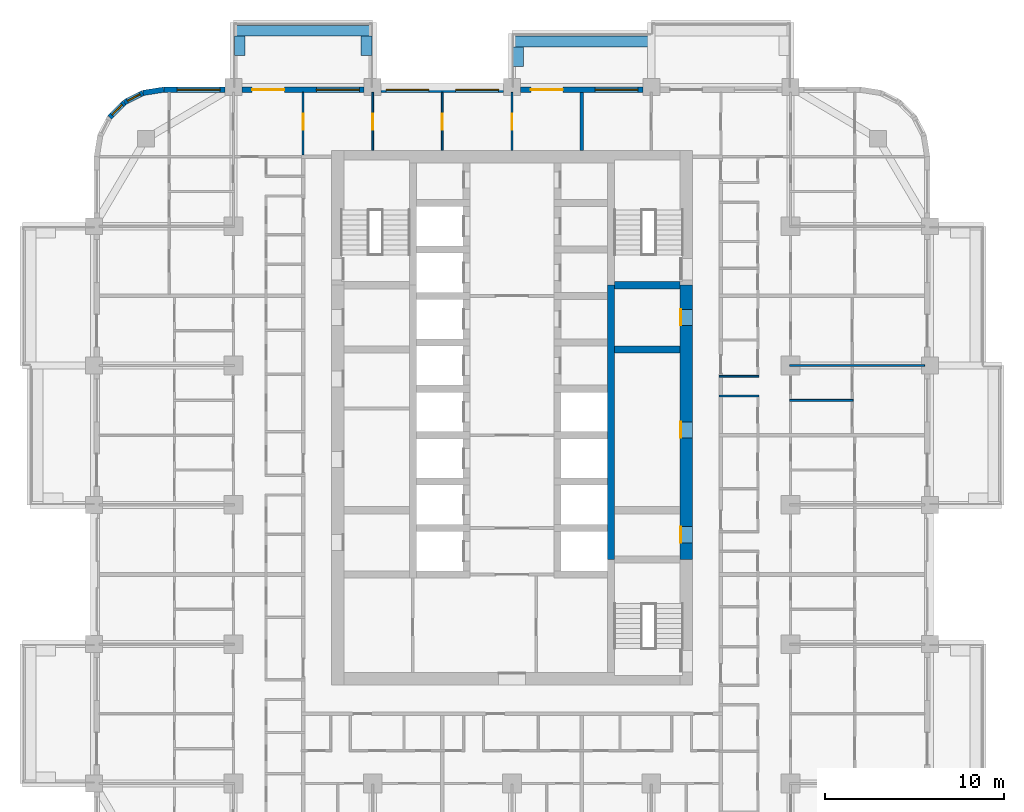
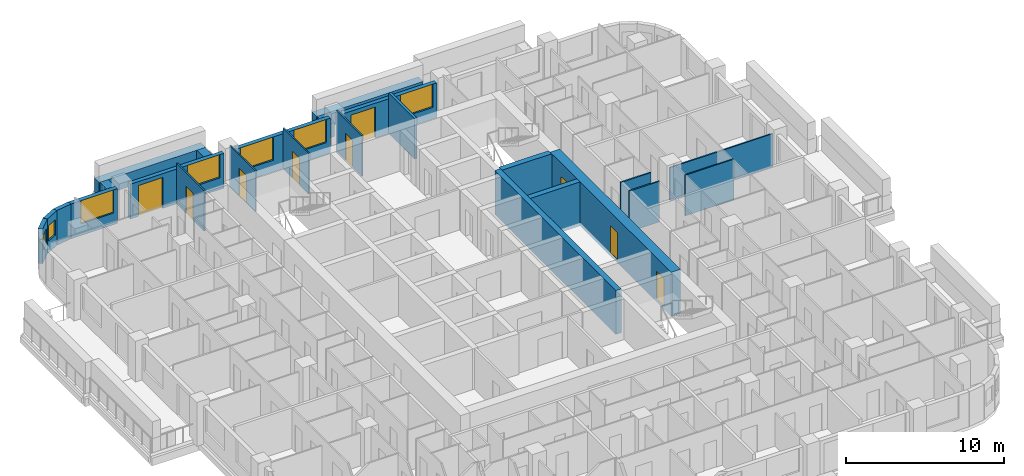
# One storey, part 12 of 18: 25 walls, 9 doors, 7 windows, 16 openings.
"""IFC4 building model written with IfcOpenShell, lengths in metres."""

from ifc_helpers import new_model, si_unit, direction, frame, frame_2d, origin, place, context, subcontext, project, spatial, rectangle, extrude, material, layer, layer_set, type_object, element, fill, save


model = new_model("IFC4")

# Units and contexts
model_context = context("Model", 3, precision=1e-05, world=origin(), true_north=direction((0.0, 1.0)))
body_context = subcontext(model_context, "Body", "Model", "MODEL_VIEW")
ifc_project = project(units=[si_unit("LENGTHUNIT", "METRE"), si_unit("AREAUNIT", "SQUARE_METRE"), si_unit("VOLUMEUNIT", "CUBIC_METRE"), si_unit("PLANEANGLEUNIT", "RADIAN"), si_unit("MASSUNIT", "GRAM", prefix="KILO")], contexts=[model_context])

# Site, building, storey
site_placement = place(None, origin())
site = spatial("IfcSite", under=ifc_project, at=site_placement, CompositionType="ELEMENT")
building_placement = place(site_placement, origin())
building = spatial("IfcBuilding", under=site, at=building_placement, Name="Ludao Terraces", CompositionType="ELEMENT")
storey_placement = place(building_placement, frame((0.0, 0.0, 78.39990234375)))
storey = spatial("IfcBuildingStorey", under=building, at=storey_placement, Name="L21", CompositionType="ELEMENT", Elevation=78.39990234375)

# Wall, openings, doors
ifc_material_1 = material(Name="Concrete C70", Category="concrete")
ifc_layer_1 = layer(ifc_material_1, 0.699951171875)
ifc_layer_set_1 = layer_set([ifc_layer_1], Name="Core wall 700 C70")
wall_type_1 = type_object("IfcWallType", Name="Core wall 700 C70", PredefinedType="SOLIDWALL", material=ifc_layer_set_1)
wall_1_placement = place(storey_placement, frame((94.75, 61.949951171875, -0.25), z_axis=(0.0, 0.0, 1.0), x_axis=(0.0, 1.0, 0.0)))
wall_1 = element("IfcWall", 1, at=wall_1_placement, inside=storey, type_object=wall_type_1, Name="Core wall L21 outer-E", PredefinedType="SOLIDWALL", context=body_context, shape_type="SweptSolid", body=[
    extrude(rectangle(XDim=15.35009765625, YDim=0.699951171875, at=frame_2d((7.675048828125, 0.0))), origin(), (0.0, 0.0, 1.0), 3.400146484375),
])
opening_1_placement = place(wall_1_placement, frame((0.925048828125, 0.0, 0.25)))
opening_1 = element("IfcOpeningElement", 2, at=opening_1_placement, cuts=wall_1, Name="Opening R06-081", PredefinedType="OPENING", context=body_context, shape_type="SweptSolid", body=[
    extrude(rectangle(XDim=0.89990234375, YDim=2.10009765625, at=frame_2d((0.449951171875, 1.050048828125))), frame((0.0, 0.35986328125, 0.0), z_axis=(0.0, -1.0, 0.0), x_axis=(1.0, 0.0, 0.0)), (0.0, 0.0, 1.0), 0.719970703125),
])
opening_2_placement = place(wall_1_placement, frame((6.800048828125, 0.0, 0.25)))
opening_2 = element("IfcOpeningElement", 3, at=opening_2_placement, cuts=wall_1, Name="Opening R06-099", PredefinedType="OPENING", context=body_context, shape_type="SweptSolid", body=[
    extrude(rectangle(XDim=0.89990234375, YDim=2.10009765625, at=frame_2d((0.449951171875, 1.050048828125))), frame((0.0, 0.35986328125, 0.0), z_axis=(0.0, -1.0, 0.0), x_axis=(1.0, 0.0, 0.0)), (0.0, 0.0, 1.0), 0.719970703125),
])
opening_3_placement = place(wall_1_placement, frame((13.10009765625, 0.0, 0.25)))
opening_3 = element("IfcOpeningElement", 4, at=opening_3_placement, cuts=wall_1, Name="Opening R06-122", PredefinedType="OPENING", context=body_context, shape_type="SweptSolid", body=[
    extrude(rectangle(XDim=0.89990234375, YDim=2.10009765625, at=frame_2d((0.449951171875, 1.050048828125))), frame((0.0, 0.35986328125, 0.0), z_axis=(0.0, -1.0, 0.0), x_axis=(1.0, 0.0, 0.0)), (0.0, 0.0, 1.0), 0.719970703125),
])
ifc_material_2 = material(Name="Steel Q235", Category="steel")
door_type_1 = type_object("IfcDoorType", Name="INT Riser door 900", OperationType="SINGLE_SWING_LEFT", PredefinedType="DOOR", material=ifc_material_2)
door_1_placement = place(opening_1_placement, origin())
door_1 = element("IfcDoor", 5, at=door_1_placement, inside=storey, type_object=door_type_1, Name="DOOR 081", OperationType="SINGLE_SWING_LEFT", OverallHeight=2.10009765625, OverallWidth=0.89990234375, PredefinedType="DOOR", context=body_context, shape_type="SweptSolid", body=[
    extrude(rectangle(XDim=0.89990234375, YDim=2.10009765625, at=frame_2d((0.449951171875, 1.050048828125))), frame((0.0, 0.3349609375, 0.0), z_axis=(0.0, -1.0, 0.0), x_axis=(1.0, 0.0, 0.0)), (0.0, 0.0, 1.0), 0.050048828125),
])
fill(opening_1, door_1)
door_2_placement = place(opening_3_placement, origin())
door_2 = element("IfcDoor", 6, at=door_2_placement, inside=storey, type_object=door_type_1, Name="DOOR 122", OperationType="SINGLE_SWING_LEFT", OverallHeight=2.10009765625, OverallWidth=0.89990234375, PredefinedType="DOOR", context=body_context, shape_type="SweptSolid", body=[
    extrude(rectangle(XDim=0.89990234375, YDim=2.10009765625, at=frame_2d((0.449951171875, 1.050048828125))), frame((0.0, 0.3349609375, 0.0), z_axis=(0.0, -1.0, 0.0), x_axis=(1.0, 0.0, 0.0)), (0.0, 0.0, 1.0), 0.050048828125),
])
fill(opening_3, door_2)
ifc_material_3 = material(Name="Timber door leaf", Category="wood")
door_type_2 = type_object("IfcDoorType", Name="INT Room door 900", OperationType="SINGLE_SWING_LEFT", PredefinedType="DOOR", material=ifc_material_3)
door_3_placement = place(opening_2_placement, origin())
door_3 = element("IfcDoor", 7, at=door_3_placement, inside=storey, type_object=door_type_2, Name="DOOR 099", OperationType="SINGLE_SWING_RIGHT", OverallHeight=2.10009765625, OverallWidth=0.89990234375, PredefinedType="DOOR", context=body_context, shape_type="SweptSolid", body=[
    extrude(rectangle(XDim=0.89990234375, YDim=2.10009765625, at=frame_2d((0.449951171875, 1.050048828125))), frame((0.0, 0.3349609375, 0.0), z_axis=(0.0, -1.0, 0.0), x_axis=(1.0, 0.0, 0.0)), (0.0, 0.0, 1.0), 0.050048828125),
])
fill(opening_2, door_3)

# Walls
ifc_material_4 = material(Name="Concrete C40", Category="concrete")
ifc_layer_2 = layer(ifc_material_4, 0.60009765625)
ifc_layer_set_2 = layer_set([ifc_layer_2], Name="ENV Planter trough 600")
wall_type_2 = type_object("IfcWallType", Name="ENV Planter trough 600", PredefinedType="USERDEFINED", material=ifc_layer_set_2)
wall_2_placement = place(storey_placement, frame((69.39990234375, 91.550048828125, 0.0), z_axis=(0.0, 0.0, 1.0), x_axis=(1.0, 0.0, 0.0)))
element("IfcWall", 8, at=wall_2_placement, inside=storey, type_object=wall_type_2, Name="PL-L21-N1", ObjectType="PLANTER", PredefinedType="USERDEFINED", context=body_context, shape_type="SweptSolid", body=[
    extrude(rectangle(XDim=7.800048828125, YDim=0.60009765625, at=frame_2d((3.89990234375, 0.0))), origin(), (0.0, 0.0, 1.0), 1.10009765625),
])
for number, where, z_axis, x_axis, name in (
    (9, (69.75, 91.25, 0.0), (0.0, 0.0, 1.0), (0.0, -1.0, 0.0), "PL-L21-N1-SA"),
    (10, (76.85009765625, 91.25, 0.0), (0.0, 0.0, 1.0), (0.0, -1.0, 0.0), "PL-L21-N1-SB"),
):
    element("IfcWall", number, at=place(storey_placement, frame(where, z_axis=z_axis, x_axis=x_axis)), inside=storey, type_object=wall_type_2, Name=name, ObjectType="PLANTER", PredefinedType="USERDEFINED", context=body_context, shape_type="SweptSolid", body=[
        extrude(rectangle(XDim=1.10009765625, YDim=0.60009765625, at=frame_2d((0.550048828125, 0.0))), origin(), (0.0, 0.0, 1.0), 1.10009765625),
    ])
wall_3_placement = place(storey_placement, frame((85.0, 90.949951171875, 0.0), z_axis=(0.0, 0.0, 1.0), x_axis=(1.0, 0.0, 0.0)))
element("IfcWall", 11, at=wall_3_placement, inside=storey, type_object=wall_type_2, Name="PL-L21-N3", ObjectType="PLANTER", PredefinedType="USERDEFINED", context=body_context, shape_type="SweptSolid", body=[
    extrude(rectangle(XDim=7.800048828125, YDim=0.60009765625, at=frame_2d((3.89990234375, 0.0))), origin(), (0.0, 0.0, 1.0), 1.10009765625),
])
wall_4_placement = place(storey_placement, frame((85.35009765625, 90.64990234375, 0.0), z_axis=(0.0, 0.0, 1.0), x_axis=(0.0, -1.0, 0.0)))
element("IfcWall", 12, at=wall_4_placement, inside=storey, type_object=wall_type_2, Name="PL-L21-N3-SA", ObjectType="PLANTER", PredefinedType="USERDEFINED", context=body_context, shape_type="SweptSolid", body=[
    extrude(rectangle(XDim=1.099853515625, YDim=0.60009765625, at=frame_2d((0.5498046875, 0.0))), origin(), (0.0, 0.0, 1.0), 1.10009765625),
])

# Wall, opening, window
ifc_material_5 = material(Name="Granite cladding", Category="masonry")
ifc_layer_3 = layer(ifc_material_5, 0.0400390625, Category="stone")
ifc_material_6 = material(Name="Mineral wool")
ifc_layer_4 = layer(ifc_material_6, 0.06005859375)
ifc_layer_5 = layer(ifc_material_4, 0.199951171875, Category="concrete")
ifc_layer_set_3 = layer_set([ifc_layer_3, ifc_layer_4, ifc_layer_5], Name="ENV Stone-clad wall 300")
wall_type_3 = type_object("IfcWallType", Name="ENV Stone-clad wall 300", PredefinedType="SOLIDWALL", material=ifc_layer_set_3)
wall_5_placement = place(storey_placement, frame((65.5, 88.25, 0.0), z_axis=(0.0, 0.0, 1.0), x_axis=(1.0, 0.0, 0.0)))
wall_5 = element("IfcWall", 13, at=wall_5_placement, inside=storey, type_object=wall_type_3, Name="EW-L21-N1", PredefinedType="SOLIDWALL", context=body_context, shape_type="SweptSolid", body=[
    extrude(rectangle(XDim=3.425048828125, YDim=0.300048828125, at=frame_2d((1.71240234375, 0.0))), origin(), (0.0, 0.0, 1.0), 2.7001953125),
])
opening_4_placement = place(wall_5_placement, frame((0.75, 0.0, 0.89990234375)))
opening_4 = element("IfcOpeningElement", 14, at=opening_4_placement, cuts=wall_5, Name="Opening W1", PredefinedType="OPENING", context=body_context, shape_type="SweptSolid", body=[
    extrude(rectangle(XDim=2.39990234375, YDim=1.800048828125, at=frame_2d((1.199951171875, 0.89990234375))), frame((0.0, 0.16015625, 0.0), z_axis=(0.0, -1.0, 0.0), x_axis=(1.0, 0.0, 0.0)), (0.0, 0.0, 1.0), 0.320068359375),
])
ifc_material_7 = material(Name="Clear glass in aluminium frame", Category="aluminium")
ifc_layer_6 = layer(ifc_material_7, 0.06005859375)
ifc_layer_set_4 = layer_set([ifc_layer_6], Name="ENV Window W1 2400x1800")
window_type_1 = type_object("IfcWindowType", Name="ENV Window W1 2400x1800", PartitioningType="DOUBLE_PANEL_VERTICAL", PredefinedType="WINDOW", material=ifc_layer_set_4)
window_1_placement = place(opening_4_placement, origin())
window_1 = element("IfcWindow", 15, at=window_1_placement, inside=storey, type_object=window_type_1, Name="W-L21-N1-1", OverallHeight=1.800048828125, OverallWidth=2.39990234375, PartitioningType="DOUBLE_PANEL_VERTICAL", PredefinedType="WINDOW", context=body_context, shape_type="SweptSolid", body=[
    extrude(rectangle(XDim=2.39990234375, YDim=1.800048828125, at=frame_2d((1.199951171875, 0.89990234375))), frame((0.0, 0.030029296875, 0.0), z_axis=(0.0, -1.0, 0.0), x_axis=(1.0, 0.0, 0.0)), (0.0, 0.0, 1.0), 0.06005859375),
])
fill(opening_4, window_1)

# Wall, openings, door, window
wall_6_placement = place(storey_placement, frame((69.875, 88.25, 0.0), z_axis=(0.0, 0.0, 1.0), x_axis=(1.0, 0.0, 0.0)))
wall_6 = element("IfcWall", 16, at=wall_6_placement, inside=storey, type_object=wall_type_3, Name="EW-L21-N2", PredefinedType="SOLIDWALL", context=body_context, shape_type="SweptSolid", body=[
    extrude(rectangle(XDim=6.85009765625, YDim=0.300048828125, at=frame_2d((3.425048828125, 0.0))), origin(), (0.0, 0.0, 1.0), 2.7001953125),
])
opening_5_placement = place(wall_6_placement, frame((0.574951171875, 0.0, 0.0)))
opening_5 = element("IfcOpeningElement", 17, at=opening_5_placement, cuts=wall_6, Name="Opening BD", PredefinedType="OPENING", context=body_context, shape_type="SweptSolid", body=[
    extrude(rectangle(XDim=1.800048828125, YDim=2.39990234375, at=frame_2d((0.89990234375, 1.199951171875))), frame((0.0, 0.16015625, 0.0), z_axis=(0.0, -1.0, 0.0), x_axis=(1.0, 0.0, 0.0)), (0.0, 0.0, 1.0), 0.320068359375),
])
opening_6_placement = place(wall_6_placement, frame((4.175048828125, 0.0, 0.89990234375)))
opening_6 = element("IfcOpeningElement", 18, at=opening_6_placement, cuts=wall_6, Name="Opening W1", PredefinedType="OPENING", context=body_context, shape_type="SweptSolid", body=[
    extrude(rectangle(XDim=2.39990234375, YDim=1.800048828125, at=frame_2d((1.199951171875, 0.89990234375))), frame((0.0, 0.16015625, 0.0), z_axis=(0.0, -1.0, 0.0), x_axis=(1.0, 0.0, 0.0)), (0.0, 0.0, 1.0), 0.320068359375),
])
ifc_material_8 = material(Name="Aluminium glazed door", Category="aluminium")
ifc_layer_7 = layer(ifc_material_8, 0.06005859375)
ifc_layer_set_5 = layer_set([ifc_layer_7], Name="ENV Balcony door BD 1800x2400")
door_type_3 = type_object("IfcDoorType", Name="ENV Balcony door BD 1800x2400", OperationType="DOUBLE_DOOR_SINGLE_SWING", PredefinedType="DOOR", material=ifc_layer_set_5)
door_4_placement = place(opening_5_placement, origin())
door_4 = element("IfcDoor", 19, at=door_4_placement, inside=storey, type_object=door_type_3, Name="BD-L21-N2-1", OperationType="DOUBLE_DOOR_SINGLE_SWING", OverallHeight=2.39990234375, OverallWidth=1.800048828125, PredefinedType="DOOR", context=body_context, shape_type="SweptSolid", body=[
    extrude(rectangle(XDim=1.800048828125, YDim=2.39990234375, at=frame_2d((0.89990234375, 1.199951171875))), frame((0.0, 0.02490234375, 0.0), z_axis=(0.0, -1.0, 0.0), x_axis=(1.0, 0.0, 0.0)), (0.0, 0.0, 1.0), 0.050048828125),
])
fill(opening_5, door_4)
window_2_placement = place(opening_6_placement, origin())
window_2 = element("IfcWindow", 20, at=window_2_placement, inside=storey, type_object=window_type_1, Name="W-L21-N2-2", OverallHeight=1.800048828125, OverallWidth=2.39990234375, PartitioningType="DOUBLE_PANEL_VERTICAL", PredefinedType="WINDOW", context=body_context, shape_type="SweptSolid", body=[
    extrude(rectangle(XDim=2.39990234375, YDim=1.800048828125, at=frame_2d((1.199951171875, 0.89990234375))), frame((0.0, 0.030029296875, 0.0), z_axis=(0.0, -1.0, 0.0), x_axis=(1.0, 0.0, 0.0)), (0.0, 0.0, 1.0), 0.06005859375),
])
fill(opening_6, window_2)

# Wall, openings, windows
wall_7_placement = place(storey_placement, frame((77.675048828125, 88.25, 0.0), z_axis=(0.0, 0.0, 1.0), x_axis=(1.0, 0.0, 0.0)))
wall_7 = element("IfcWall", 21, at=wall_7_placement, inside=storey, type_object=wall_type_3, Name="EW-L21-N3", PredefinedType="SOLIDWALL", context=body_context, shape_type="SweptSolid", body=[
    extrude(rectangle(XDim=6.849853515625, YDim=0.300048828125, at=frame_2d((3.4248046875, 0.0))), origin(), (0.0, 0.0, 1.0), 2.7001953125),
])
opening_7_placement = place(wall_7_placement, frame((0.27490234375, 0.0, 0.89990234375)))
opening_7 = element("IfcOpeningElement", 22, at=opening_7_placement, cuts=wall_7, Name="Opening W1", PredefinedType="OPENING", context=body_context, shape_type="SweptSolid", body=[
    extrude(rectangle(XDim=2.39990234375, YDim=1.800048828125, at=frame_2d((1.199951171875, 0.89990234375))), frame((0.0, 0.16015625, 0.0), z_axis=(0.0, -1.0, 0.0), x_axis=(1.0, 0.0, 0.0)), (0.0, 0.0, 1.0), 0.320068359375),
])
opening_8_placement = place(wall_7_placement, frame((4.175048828125, 0.0, 0.89990234375)))
opening_8 = element("IfcOpeningElement", 23, at=opening_8_placement, cuts=wall_7, Name="Opening W1", PredefinedType="OPENING", context=body_context, shape_type="SweptSolid", body=[
    extrude(rectangle(XDim=2.39990234375, YDim=1.800048828125, at=frame_2d((1.199951171875, 0.89990234375))), frame((0.0, 0.16015625, 0.0), z_axis=(0.0, -1.0, 0.0), x_axis=(1.0, 0.0, 0.0)), (0.0, 0.0, 1.0), 0.320068359375),
])
window_3_placement = place(opening_7_placement, origin())
window_3 = element("IfcWindow", 24, at=window_3_placement, inside=storey, type_object=window_type_1, Name="W-L21-N3-1", OverallHeight=1.800048828125, OverallWidth=2.39990234375, PartitioningType="DOUBLE_PANEL_VERTICAL", PredefinedType="WINDOW", context=body_context, shape_type="SweptSolid", body=[
    extrude(rectangle(XDim=2.39990234375, YDim=1.800048828125, at=frame_2d((1.199951171875, 0.89990234375))), frame((0.0, 0.030029296875, 0.0), z_axis=(0.0, -1.0, 0.0), x_axis=(1.0, 0.0, 0.0)), (0.0, 0.0, 1.0), 0.06005859375),
])
fill(opening_7, window_3)
window_4_placement = place(opening_8_placement, origin())
window_4 = element("IfcWindow", 25, at=window_4_placement, inside=storey, type_object=window_type_1, Name="W-L21-N3-2", OverallHeight=1.800048828125, OverallWidth=2.39990234375, PartitioningType="DOUBLE_PANEL_VERTICAL", PredefinedType="WINDOW", context=body_context, shape_type="SweptSolid", body=[
    extrude(rectangle(XDim=2.39990234375, YDim=1.800048828125, at=frame_2d((1.199951171875, 0.89990234375))), frame((0.0, 0.030029296875, 0.0), z_axis=(0.0, -1.0, 0.0), x_axis=(1.0, 0.0, 0.0)), (0.0, 0.0, 1.0), 0.06005859375),
])
fill(opening_8, window_4)

# Wall, openings, door, window
wall_8_placement = place(storey_placement, frame((85.47509765625, 88.25, 0.0), z_axis=(0.0, 0.0, 1.0), x_axis=(1.0, 0.0, 0.0)))
wall_8 = element("IfcWall", 26, at=wall_8_placement, inside=storey, type_object=wall_type_3, Name="EW-L21-N4", PredefinedType="SOLIDWALL", context=body_context, shape_type="SweptSolid", body=[
    extrude(rectangle(XDim=6.849853515625, YDim=0.300048828125, at=frame_2d((3.4248046875, 0.0))), origin(), (0.0, 0.0, 1.0), 2.7001953125),
])
opening_9_placement = place(wall_8_placement, frame((0.574951171875, 0.0, 0.0)))
opening_9 = element("IfcOpeningElement", 27, at=opening_9_placement, cuts=wall_8, Name="Opening BD", PredefinedType="OPENING", context=body_context, shape_type="SweptSolid", body=[
    extrude(rectangle(XDim=1.800048828125, YDim=2.39990234375, at=frame_2d((0.89990234375, 1.199951171875))), frame((0.0, 0.16015625, 0.0), z_axis=(0.0, -1.0, 0.0), x_axis=(1.0, 0.0, 0.0)), (0.0, 0.0, 1.0), 0.320068359375),
])
opening_10_placement = place(wall_8_placement, frame((4.175048828125, 0.0, 0.89990234375)))
opening_10 = element("IfcOpeningElement", 28, at=opening_10_placement, cuts=wall_8, Name="Opening W1", PredefinedType="OPENING", context=body_context, shape_type="SweptSolid", body=[
    extrude(rectangle(XDim=2.39990234375, YDim=1.800048828125, at=frame_2d((1.199951171875, 0.89990234375))), frame((0.0, 0.16015625, 0.0), z_axis=(0.0, -1.0, 0.0), x_axis=(1.0, 0.0, 0.0)), (0.0, 0.0, 1.0), 0.320068359375),
])
door_5_placement = place(opening_9_placement, origin())
door_5 = element("IfcDoor", 29, at=door_5_placement, inside=storey, type_object=door_type_3, Name="BD-L21-N4-1", OperationType="DOUBLE_DOOR_SINGLE_SWING", OverallHeight=2.39990234375, OverallWidth=1.800048828125, PredefinedType="DOOR", context=body_context, shape_type="SweptSolid", body=[
    extrude(rectangle(XDim=1.800048828125, YDim=2.39990234375, at=frame_2d((0.89990234375, 1.199951171875))), frame((0.0, 0.02490234375, 0.0), z_axis=(0.0, -1.0, 0.0), x_axis=(1.0, 0.0, 0.0)), (0.0, 0.0, 1.0), 0.050048828125),
])
fill(opening_9, door_5)
window_5_placement = place(opening_10_placement, origin())
window_5 = element("IfcWindow", 30, at=window_5_placement, inside=storey, type_object=window_type_1, Name="W-L21-N4-2", OverallHeight=1.800048828125, OverallWidth=2.39990234375, PartitioningType="DOUBLE_PANEL_VERTICAL", PredefinedType="WINDOW", context=body_context, shape_type="SweptSolid", body=[
    extrude(rectangle(XDim=2.39990234375, YDim=1.800048828125, at=frame_2d((1.199951171875, 0.89990234375))), frame((0.0, 0.030029296875, 0.0), z_axis=(0.0, -1.0, 0.0), x_axis=(1.0, 0.0, 0.0)), (0.0, 0.0, 1.0), 0.06005859375),
])
fill(opening_10, window_5)

# Wall
wall_9_placement = place(storey_placement, frame((65.5, 88.25, 0.0), z_axis=(0.0, 0.0, 1.0), x_axis=(-0.987678452879, -0.156496880861, 0.0)))
element("IfcWall", 31, at=wall_9_placement, inside=storey, type_object=wall_type_3, Name="EW-L21-NW1", PredefinedType="SOLIDWALL", context=body_context, shape_type="SweptSolid", body=[
    extrude(rectangle(XDim=1.173095703125, YDim=0.300048828125, at=frame_2d((0.58642578125, 0.0))), origin(), (0.0, 0.0, 1.0), 2.7001953125),
])

# Wall, opening, window
wall_10_placement = place(storey_placement, frame((64.34130859375, 88.06640625, 0.0), z_axis=(0.0, 0.0, 1.0), x_axis=(-0.890988677504, -0.454025524128, 0.0)))
wall_10 = element("IfcWall", 32, at=wall_10_placement, inside=storey, type_object=wall_type_3, Name="EW-L21-NW2", PredefinedType="SOLIDWALL", context=body_context, shape_type="SweptSolid", body=[
    extrude(rectangle(XDim=1.17333984375, YDim=0.300048828125, at=frame_2d((0.586669921875, 0.0))), origin(), (0.0, 0.0, 1.0), 2.7001953125),
])
opening_11_placement = place(wall_10_placement, frame((0.1865234375, 0.0, 0.89990234375)))
opening_11 = element("IfcOpeningElement", 33, at=opening_11_placement, cuts=wall_10, Name="Opening W3", PredefinedType="OPENING", context=body_context, shape_type="SweptSolid", body=[
    extrude(rectangle(XDim=0.800048828125, YDim=1.199951171875, at=frame_2d((0.39990234375, 0.60009765625))), frame((0.0, 0.16015625, 0.0), z_axis=(0.0, -1.0, 0.0), x_axis=(1.0, 0.0, 0.0)), (0.0, 0.0, 1.0), 0.320068359375),
])
ifc_layer_8 = layer(ifc_material_7, 0.06005859375)
ifc_layer_set_6 = layer_set([ifc_layer_8], Name="ENV Window W3 800x1200")
window_type_2 = type_object("IfcWindowType", Name="ENV Window W3 800x1200", PartitioningType="SINGLE_PANEL", PredefinedType="WINDOW", material=ifc_layer_set_6)
window_6_placement = place(opening_11_placement, origin())
window_6 = element("IfcWindow", 34, at=window_6_placement, inside=storey, type_object=window_type_2, Name="W-L21-NW2", OverallHeight=1.199951171875, OverallWidth=0.800048828125, PartitioningType="SINGLE_PANEL", PredefinedType="WINDOW", context=body_context, shape_type="SweptSolid", body=[
    extrude(rectangle(XDim=0.800048828125, YDim=1.199951171875, at=frame_2d((0.39990234375, 0.60009765625))), frame((0.0, 0.030029296875, 0.0), z_axis=(0.0, -1.0, 0.0), x_axis=(1.0, 0.0, 0.0)), (0.0, 0.0, 1.0), 0.06005859375),
])
fill(opening_11, window_6)

wall_11_placement = place(storey_placement, frame((63.2958984375, 87.53369140625, 0.0), z_axis=(0.0, 0.0, 1.0), x_axis=(-0.707106781187, -0.707106781187, 0.0)))
wall_11 = element("IfcWall", 35, at=wall_11_placement, inside=storey, type_object=wall_type_3, Name="EW-L21-NW3", PredefinedType="SOLIDWALL", context=body_context, shape_type="SweptSolid", body=[
    extrude(rectangle(XDim=1.173095703125, YDim=0.300048828125, at=frame_2d((0.58642578125, 0.0))), origin(), (0.0, 0.0, 1.0), 2.7001953125),
])
opening_12_placement = place(wall_11_placement, frame((0.1865234375, 0.0, 0.89990234375)))
opening_12 = element("IfcOpeningElement", 36, at=opening_12_placement, cuts=wall_11, Name="Opening W3", PredefinedType="OPENING", context=body_context, shape_type="SweptSolid", body=[
    extrude(rectangle(XDim=0.800048828125, YDim=1.199951171875, at=frame_2d((0.39990234375, 0.60009765625))), frame((0.0, 0.16015625, 0.0), z_axis=(0.0, -1.0, 0.0), x_axis=(1.0, 0.0, 0.0)), (0.0, 0.0, 1.0), 0.320068359375),
])
window_7_placement = place(opening_12_placement, origin())
window_7 = element("IfcWindow", 37, at=window_7_placement, inside=storey, type_object=window_type_2, Name="W-L21-NW3", OverallHeight=1.199951171875, OverallWidth=0.800048828125, PartitioningType="SINGLE_PANEL", PredefinedType="WINDOW", context=body_context, shape_type="SweptSolid", body=[
    extrude(rectangle(XDim=0.800048828125, YDim=1.199951171875, at=frame_2d((0.39990234375, 0.60009765625))), frame((0.0, 0.030029296875, 0.0), z_axis=(0.0, -1.0, 0.0), x_axis=(1.0, 0.0, 0.0)), (0.0, 0.0, 1.0), 0.06005859375),
])
fill(opening_12, window_7)

# Walls
ifc_material_9 = material(Name="Gypsum plasterboard", Category="gypsum")
ifc_layer_9 = layer(ifc_material_9, 0.012451171875, Category="gypsum")
ifc_layer_10 = layer(ifc_material_6, 0.06005859375, Name="insulation")
ifc_layer_11 = layer(ifc_material_2, 0.014892578125, Name="stud")
ifc_layer_12 = layer(ifc_material_9, 0.012451171875, Category="gypsum")
ifc_layer_set_7 = layer_set([ifc_layer_9, ifc_layer_10, ifc_layer_11, ifc_layer_12], Name="INT Partition 100")
wall_type_4 = type_object("IfcWallType", Name="INT Partition 100", PredefinedType="PARTITIONING", material=ifc_layer_set_7)
wall_12_placement = place(storey_placement, frame((100.550048828125, 70.85009765625, 0.0), z_axis=(0.0, 0.0, 1.0), x_axis=(1.0, 0.0, 0.0)))
element("IfcWall", 38, at=wall_12_placement, inside=storey, type_object=wall_type_4, Name="PW-L21-PW053", PredefinedType="PARTITIONING", context=body_context, shape_type="SweptSolid", body=[
    extrude(rectangle(XDim=3.550048828125, YDim=0.10009765625, at=frame_2d((1.77490234375, 0.0))), origin(), (0.0, 0.0, 1.0), 3.150146484375),
])
for number, where, z_axis, x_axis, name in (
    (39, (96.60009765625, 71.10009765625, 0.0), (0.0, 0.0, 1.0), (1.0, 0.0, 0.0), "PW-L21-PW054"),
    (40, (96.60009765625, 72.199951171875, 0.0), (0.0, 0.0, 1.0), (1.0, 0.0, 0.0), "PW-L21-PW055"),
):
    element("IfcWall", number, at=place(storey_placement, frame(where, z_axis=z_axis, x_axis=x_axis)), inside=storey, type_object=wall_type_4, Name=name, PredefinedType="PARTITIONING", context=body_context, shape_type="SweptSolid", body=[
        extrude(rectangle(XDim=2.219970703125, YDim=0.10009765625, at=frame_2d((1.10986328125, 0.0))), origin(), (0.0, 0.0, 1.0), 3.150146484375),
    ])
wall_13_placement = place(storey_placement, frame((100.550048828125, 72.800048828125, 0.0), z_axis=(0.0, 0.0, 1.0), x_axis=(1.0, 0.0, 0.0)))
element("IfcWall", 41, at=wall_13_placement, inside=storey, type_object=wall_type_4, Name="PW-L21-PW058", PredefinedType="PARTITIONING", context=body_context, shape_type="SweptSolid", body=[
    extrude(rectangle(XDim=7.550048828125, YDim=0.10009765625, at=frame_2d((3.77490234375, 0.0))), origin(), (0.0, 0.0, 1.0), 2.550048828125),
])

# Wall, opening, door
wall_14_placement = place(storey_placement, frame((73.300048828125, 84.60009765625, 0.0), z_axis=(0.0, 0.0, 1.0), x_axis=(0.0, 1.0, 0.0)))
wall_14 = element("IfcWall", 42, at=wall_14_placement, inside=storey, type_object=wall_type_4, Name="PW-L21-PW090", PredefinedType="PARTITIONING", context=body_context, shape_type="SweptSolid", body=[
    extrude(rectangle(XDim=3.5, YDim=0.10009765625, at=frame_2d((1.75, 0.0))), origin(), (0.0, 0.0, 1.0), 3.150146484375),
])
opening_13_placement = place(wall_14_placement, frame((1.39990234375, 0.0, 0.0)))
opening_13 = element("IfcOpeningElement", 43, at=opening_13_placement, cuts=wall_14, Name="Opening R06-159", PredefinedType="OPENING", context=body_context, shape_type="SweptSolid", body=[
    extrude(rectangle(XDim=0.89990234375, YDim=2.10009765625, at=frame_2d((0.449951171875, 1.050048828125))), frame((0.0, 0.06005859375, 0.0), z_axis=(0.0, -1.0, 0.0), x_axis=(1.0, 0.0, 0.0)), (0.0, 0.0, 1.0), 0.1201171875),
])
door_6_placement = place(opening_13_placement, origin())
door_6 = element("IfcDoor", 44, at=door_6_placement, inside=storey, type_object=door_type_2, Name="DOOR 159", OperationType="SINGLE_SWING_LEFT", OverallHeight=2.10009765625, OverallWidth=0.89990234375, PredefinedType="DOOR", context=body_context, shape_type="SweptSolid", body=[
    extrude(rectangle(XDim=0.89990234375, YDim=2.10009765625, at=frame_2d((0.449951171875, 1.050048828125))), frame((0.0, 0.02490234375, 0.0), z_axis=(0.0, -1.0, 0.0), x_axis=(1.0, 0.0, 0.0)), (0.0, 0.0, 1.0), 0.050048828125),
])
fill(opening_13, door_6)

wall_15_placement = place(storey_placement, frame((77.199951171875, 84.85009765625, 0.0), z_axis=(0.0, 0.0, 1.0), x_axis=(0.0, 1.0, 0.0)))
wall_15 = element("IfcWall", 45, at=wall_15_placement, inside=storey, type_object=wall_type_4, Name="PW-L21-PW095", PredefinedType="PARTITIONING", context=body_context, shape_type="SweptSolid", body=[
    extrude(rectangle(XDim=3.25, YDim=0.10009765625, at=frame_2d((1.625, 0.0))), origin(), (0.0, 0.0, 1.0), 3.150146484375),
])
opening_14_placement = place(wall_15_placement, frame((1.14990234375, 0.0, 0.0)))
opening_14 = element("IfcOpeningElement", 46, at=opening_14_placement, cuts=wall_15, Name="Opening R06-160", PredefinedType="OPENING", context=body_context, shape_type="SweptSolid", body=[
    extrude(rectangle(XDim=0.89990234375, YDim=2.10009765625, at=frame_2d((0.449951171875, 1.050048828125))), frame((0.0, 0.06005859375, 0.0), z_axis=(0.0, -1.0, 0.0), x_axis=(1.0, 0.0, 0.0)), (0.0, 0.0, 1.0), 0.1201171875),
])
door_7_placement = place(opening_14_placement, origin())
door_7 = element("IfcDoor", 47, at=door_7_placement, inside=storey, type_object=door_type_2, Name="DOOR 160", OperationType="SINGLE_SWING_RIGHT", OverallHeight=2.10009765625, OverallWidth=0.89990234375, PredefinedType="DOOR", context=body_context, shape_type="SweptSolid", body=[
    extrude(rectangle(XDim=0.89990234375, YDim=2.10009765625, at=frame_2d((0.449951171875, 1.050048828125))), frame((0.0, 0.02490234375, 0.0), z_axis=(0.0, -1.0, 0.0), x_axis=(1.0, 0.0, 0.0)), (0.0, 0.0, 1.0), 0.050048828125),
])
fill(opening_14, door_7)

wall_16_placement = place(storey_placement, frame((81.10009765625, 84.85009765625, 0.0), z_axis=(0.0, 0.0, 1.0), x_axis=(0.0, 1.0, 0.0)))
wall_16 = element("IfcWall", 48, at=wall_16_placement, inside=storey, type_object=wall_type_4, Name="PW-L21-PW099", PredefinedType="PARTITIONING", context=body_context, shape_type="SweptSolid", body=[
    extrude(rectangle(XDim=3.25, YDim=0.10009765625, at=frame_2d((1.625, 0.0))), origin(), (0.0, 0.0, 1.0), 3.150146484375),
])
opening_15_placement = place(wall_16_placement, frame((1.14990234375, 0.0, 0.0)))
opening_15 = element("IfcOpeningElement", 49, at=opening_15_placement, cuts=wall_16, Name="Opening R06-161", PredefinedType="OPENING", context=body_context, shape_type="SweptSolid", body=[
    extrude(rectangle(XDim=0.89990234375, YDim=2.10009765625, at=frame_2d((0.449951171875, 1.050048828125))), frame((0.0, 0.06005859375, 0.0), z_axis=(0.0, -1.0, 0.0), x_axis=(1.0, 0.0, 0.0)), (0.0, 0.0, 1.0), 0.1201171875),
])
door_8_placement = place(opening_15_placement, origin())
door_8 = element("IfcDoor", 50, at=door_8_placement, inside=storey, type_object=door_type_2, Name="DOOR 161", OperationType="SINGLE_SWING_RIGHT", OverallHeight=2.10009765625, OverallWidth=0.89990234375, PredefinedType="DOOR", context=body_context, shape_type="SweptSolid", body=[
    extrude(rectangle(XDim=0.89990234375, YDim=2.10009765625, at=frame_2d((0.449951171875, 1.050048828125))), frame((0.0, 0.02490234375, 0.0), z_axis=(0.0, -1.0, 0.0), x_axis=(1.0, 0.0, 0.0)), (0.0, 0.0, 1.0), 0.050048828125),
])
fill(opening_15, door_8)

wall_17_placement = place(storey_placement, frame((85.0, 84.85009765625, 0.0), z_axis=(0.0, 0.0, 1.0), x_axis=(0.0, 1.0, 0.0)))
wall_17 = element("IfcWall", 51, at=wall_17_placement, inside=storey, type_object=wall_type_4, Name="PW-L21-PW103", PredefinedType="PARTITIONING", context=body_context, shape_type="SweptSolid", body=[
    extrude(rectangle(XDim=3.25, YDim=0.10009765625, at=frame_2d((1.625, 0.0))), origin(), (0.0, 0.0, 1.0), 3.150146484375),
])
opening_16_placement = place(wall_17_placement, frame((1.14990234375, 0.0, 0.0)))
opening_16 = element("IfcOpeningElement", 52, at=opening_16_placement, cuts=wall_17, Name="Opening R06-162", PredefinedType="OPENING", context=body_context, shape_type="SweptSolid", body=[
    extrude(rectangle(XDim=0.89990234375, YDim=2.10009765625, at=frame_2d((0.449951171875, 1.050048828125))), frame((0.0, 0.06005859375, 0.0), z_axis=(0.0, -1.0, 0.0), x_axis=(1.0, 0.0, 0.0)), (0.0, 0.0, 1.0), 0.1201171875),
])
door_9_placement = place(opening_16_placement, origin())
door_9 = element("IfcDoor", 53, at=door_9_placement, inside=storey, type_object=door_type_2, Name="DOOR 162", OperationType="SINGLE_SWING_RIGHT", OverallHeight=2.10009765625, OverallWidth=0.89990234375, PredefinedType="DOOR", context=body_context, shape_type="SweptSolid", body=[
    extrude(rectangle(XDim=0.89990234375, YDim=2.10009765625, at=frame_2d((0.449951171875, 1.050048828125))), frame((0.0, 0.02490234375, 0.0), z_axis=(0.0, -1.0, 0.0), x_axis=(1.0, 0.0, 0.0)), (0.0, 0.0, 1.0), 0.050048828125),
])
fill(opening_16, door_9)

# Walls
ifc_material_10 = material(Name="Autoclaved aerated concrete block B06 A3.5", Category="concrete")
ifc_layer_13 = layer(ifc_material_10, 0.199951171875)
ifc_layer_set_8 = layer_set([ifc_layer_13], Name="INT Party wall 200")
wall_type_5 = type_object("IfcWallType", Name="INT Party wall 200", PredefinedType="PARTITIONING", material=ifc_layer_set_8)
wall_18_placement = place(storey_placement, frame((88.89990234375, 84.85009765625, 0.0), z_axis=(0.0, 0.0, 1.0), x_axis=(0.0, 1.0, 0.0)))
element("IfcWall", 54, at=wall_18_placement, inside=storey, type_object=wall_type_5, Name="PW-L21-PW108", PredefinedType="PARTITIONING", context=body_context, shape_type="SweptSolid", body=[
    extrude(rectangle(XDim=3.25, YDim=0.199951171875, at=frame_2d((1.625, 0.0))), origin(), (0.0, 0.0, 1.0), 3.150146484375),
])
ifc_material_11 = material(Name="Concrete C60", Category="concrete")
ifc_layer_14 = layer(ifc_material_11, 0.39990234375)
ifc_layer_set_9 = layer_set([ifc_layer_14], Name="Shaft wall 400 C60")
wall_type_6 = type_object("IfcWallType", Name="Shaft wall 400 C60", PredefinedType="SOLIDWALL", material=ifc_layer_set_9)
wall_19_placement = place(storey_placement, frame((90.550048828125, 61.949951171875, -0.25), z_axis=(0.0, 0.0, 1.0), x_axis=(0.0, 1.0, 0.0)))
element("IfcWall", 55, at=wall_19_placement, inside=storey, type_object=wall_type_6, Name="Core wall L21 back-E", PredefinedType="SOLIDWALL", context=body_context, shape_type="SweptSolid", body=[
    extrude(rectangle(XDim=15.35009765625, YDim=0.39990234375, at=frame_2d((7.675048828125, 0.0))), origin(), (0.0, 0.0, 1.0), 3.400146484375),
])
for number, where, z_axis, x_axis, name in (
    (56, (90.75, 73.699951171875, -0.25), (0.0, 0.0, 1.0), (1.0, 0.0, 0.0), "Core wall L21 riser-b-E"),
    (57, (90.75, 77.300048828125, -0.25), (0.0, 0.0, 1.0), (1.0, 0.0, 0.0), "Core wall L21 stair-E"),
):
    element("IfcWall", number, at=place(storey_placement, frame(where, z_axis=z_axis, x_axis=x_axis)), inside=storey, type_object=wall_type_6, Name=name, PredefinedType="SOLIDWALL", context=body_context, shape_type="SweptSolid", body=[
        extrude(rectangle(XDim=3.64990234375, YDim=0.39990234375, at=frame_2d((1.824951171875, 0.0))), origin(), (0.0, 0.0, 1.0), 3.400146484375),
    ])

save(model, "model.ifc")
